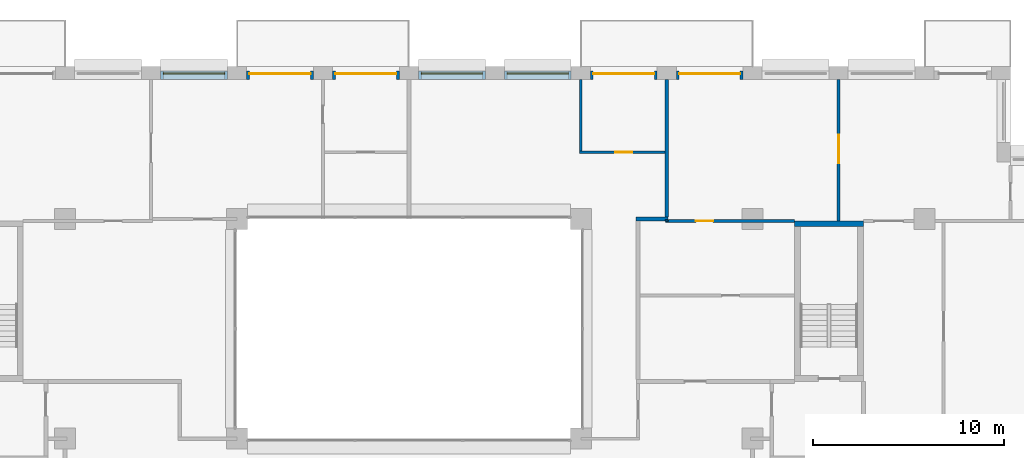
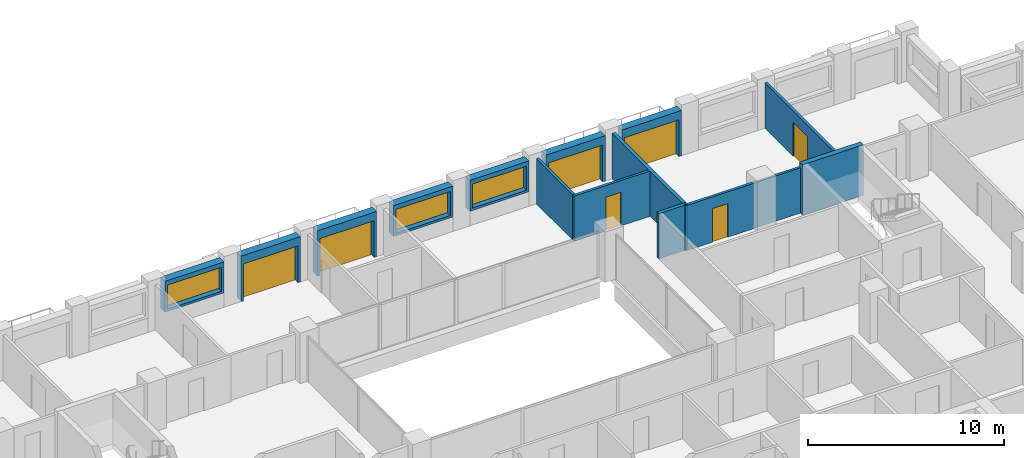
# One storey, part 13 of 16: 15 walls, 7 doors, 3 windows, 10 openings.
"""IFC4 building model written with IfcOpenShell, lengths in metres."""

from ifc_helpers import new_model, si_unit, direction, frame, frame_2d, origin, place, context, subcontext, project, spatial, rectangle, extrude, material, layer, layer_set, type_object, element, fill, save


model = new_model("IFC4")

# Units and contexts
model_context = context("Model", 3, precision=1e-05, world=origin(), true_north=direction((0.0, 1.0)))
body_context = subcontext(model_context, "Body", "Model", "MODEL_VIEW")
ifc_project = project(units=[si_unit("LENGTHUNIT", "METRE"), si_unit("AREAUNIT", "SQUARE_METRE"), si_unit("VOLUMEUNIT", "CUBIC_METRE"), si_unit("PLANEANGLEUNIT", "RADIAN"), si_unit("MASSUNIT", "GRAM", prefix="KILO")], contexts=[model_context])

# Site, building, storey
site_placement = place(None, origin())
site = spatial("IfcSite", under=ifc_project, at=site_placement, CompositionType="ELEMENT")
building_placement = place(site_placement, origin())
building = spatial("IfcBuilding", under=site, at=building_placement, Name="Brigalow Station Residences", CompositionType="ELEMENT")
storey_placement = place(building_placement, frame((0.0, 0.0, 166.5)))
storey = spatial("IfcBuildingStorey", under=building, at=storey_placement, Name="L48", CompositionType="ELEMENT", Elevation=166.5)

# Wall, opening, door
ifc_material_1 = material(Name="Clay brick masonry", Category="masonry")
ifc_layer_1 = layer(ifc_material_1, 0.449951171875)
ifc_layer_set_1 = layer_set([ifc_layer_1], Name="BRICK INFILL WALL 450")
wall_type_1 = type_object("IfcWallType", Name="BRICK INFILL WALL 450", PredefinedType="SOLIDWALL", material=ifc_layer_set_1)
wall_1_placement = place(storey_placement, frame((53.5, 43.02490234375, 0.0), z_axis=(0.0, 0.0, 1.0), x_axis=(-1.0, 0.0, 0.0)))
wall_1 = element("IfcWall", 1, at=wall_1_placement, inside=storey, type_object=wall_type_1, Name="L48/ewall/W-L48-25", PredefinedType="SOLIDWALL", context=body_context, shape_type="SweptSolid", body=[
    extrude(rectangle(XDim=3.5, YDim=0.449951171875, at=frame_2d((1.75, 0.0))), origin(), (0.0, 0.0, 1.0), 2.830078125),
])
opening_1_placement = place(wall_1_placement, frame((0.14990234375, 0.0, 0.0)))
opening_1 = element("IfcOpeningElement", 2, at=opening_1_placement, cuts=wall_1, Name="Opening D-B3200", PredefinedType="OPENING", context=body_context, shape_type="SweptSolid", body=[
    extrude(rectangle(XDim=3.199951171875, YDim=2.300048828125, at=frame_2d((1.60009765625, 1.14990234375))), frame((0.0, 0.23486328125, 0.0), z_axis=(0.0, -1.0, 0.0), x_axis=(1.0, 0.0, 0.0)), (0.0, 0.0, 1.0), 0.469970703125),
])
ifc_material_2 = material(Name="Anodised aluminium frame with double glazing", Category="aluminium")
door_type_1 = type_object("IfcDoorType", Name="BALCONY SLIDING DOOR 3200x2300", OperationType="SLIDING_TO_LEFT", PredefinedType="DOOR", material=ifc_material_2)
door_1_placement = place(opening_1_placement, origin())
door_1 = element("IfcDoor", 3, at=door_1_placement, inside=storey, type_object=door_type_1, Name="L48/balcony-door/W-L48-25", OperationType="SLIDING_TO_LEFT", OverallHeight=2.300048828125, OverallWidth=3.199951171875, PredefinedType="DOOR", context=body_context, shape_type="SweptSolid", body=[
    extrude(rectangle(XDim=3.199951171875, YDim=2.300048828125, at=frame_2d((1.60009765625, 1.14990234375))), frame((0.0, -0.06982421875, 0.0), z_axis=(0.0, -1.0, 0.0), x_axis=(1.0, 0.0, 0.0)), (0.0, 0.0, 1.0), 0.050048828125),
])
fill(opening_1, door_1)

wall_2_placement = place(storey_placement, frame((49.0, 43.02490234375, 0.0), z_axis=(0.0, 0.0, 1.0), x_axis=(-1.0, 0.0, 0.0)))
wall_2 = element("IfcWall", 4, at=wall_2_placement, inside=storey, type_object=wall_type_1, Name="L48/ewall/W-L48-26", PredefinedType="SOLIDWALL", context=body_context, shape_type="SweptSolid", body=[
    extrude(rectangle(XDim=3.5, YDim=0.449951171875, at=frame_2d((1.75, 0.0))), origin(), (0.0, 0.0, 1.0), 2.830078125),
])
opening_2_placement = place(wall_2_placement, frame((0.14990234375, 0.0, 0.0)))
opening_2 = element("IfcOpeningElement", 5, at=opening_2_placement, cuts=wall_2, Name="Opening D-B3200", PredefinedType="OPENING", context=body_context, shape_type="SweptSolid", body=[
    extrude(rectangle(XDim=3.199951171875, YDim=2.300048828125, at=frame_2d((1.60009765625, 1.14990234375))), frame((0.0, 0.23486328125, 0.0), z_axis=(0.0, -1.0, 0.0), x_axis=(1.0, 0.0, 0.0)), (0.0, 0.0, 1.0), 0.469970703125),
])
door_2_placement = place(opening_2_placement, origin())
door_2 = element("IfcDoor", 6, at=door_2_placement, inside=storey, type_object=door_type_1, Name="L48/balcony-door/W-L48-26", OperationType="SLIDING_TO_LEFT", OverallHeight=2.300048828125, OverallWidth=3.199951171875, PredefinedType="DOOR", context=body_context, shape_type="SweptSolid", body=[
    extrude(rectangle(XDim=3.199951171875, YDim=2.300048828125, at=frame_2d((1.60009765625, 1.14990234375))), frame((0.0, -0.06982421875, 0.0), z_axis=(0.0, -1.0, 0.0), x_axis=(1.0, 0.0, 0.0)), (0.0, 0.0, 1.0), 0.050048828125),
])
fill(opening_2, door_2)

# Wall, opening, window
wall_3_placement = place(storey_placement, frame((44.5, 43.02490234375, 0.89990234375), z_axis=(0.0, 0.0, 1.0), x_axis=(-1.0, 0.0, 0.0)))
wall_3 = element("IfcWall", 7, at=wall_3_placement, inside=storey, type_object=wall_type_1, Name="L48/ewall/W-L48-27", PredefinedType="SOLIDWALL", context=body_context, shape_type="SweptSolid", body=[
    extrude(rectangle(XDim=3.5, YDim=0.449951171875, at=frame_2d((1.75, 0.0))), origin(), (0.0, 0.0, 1.0), 1.93017578125),
])
opening_3_placement = place(wall_3_placement, frame((0.14990234375, 0.0, 0.14990234375)))
opening_3 = element("IfcOpeningElement", 8, at=opening_3_placement, cuts=wall_3, Name="Opening WT-9", PredefinedType="OPENING", context=body_context, shape_type="SweptSolid", body=[
    extrude(rectangle(XDim=3.199951171875, YDim=1.5, at=frame_2d((1.60009765625, 0.75))), frame((0.0, 0.23486328125, 0.0), z_axis=(0.0, -1.0, 0.0), x_axis=(1.0, 0.0, 0.0)), (0.0, 0.0, 1.0), 0.469970703125),
])
ifc_material_3 = material(Name="Anodised aluminium frame with double glazing", Category="aluminium")
window_type = type_object("IfcWindowType", Name="WINDOW 3200x1500", PartitioningType="SINGLE_PANEL", PredefinedType="WINDOW", material=ifc_material_3)
window_1_placement = place(opening_3_placement, origin())
window_1 = element("IfcWindow", 9, at=window_1_placement, inside=storey, type_object=window_type, Name="L48/window/W-L48-27", OverallHeight=1.5, OverallWidth=3.199951171875, PartitioningType="SINGLE_PANEL", PredefinedType="WINDOW", context=body_context, shape_type="SweptSolid", body=[
    extrude(rectangle(XDim=3.199951171875, YDim=1.5, at=frame_2d((1.60009765625, 0.75))), frame((0.0, -0.06494140625, 0.0), z_axis=(0.0, -1.0, 0.0), x_axis=(1.0, 0.0, 0.0)), (0.0, 0.0, 1.0), 0.06005859375),
])
fill(opening_3, window_1)

wall_4_placement = place(storey_placement, frame((40.0, 43.02490234375, 0.89990234375), z_axis=(0.0, 0.0, 1.0), x_axis=(-1.0, 0.0, 0.0)))
wall_4 = element("IfcWall", 10, at=wall_4_placement, inside=storey, type_object=wall_type_1, Name="L48/ewall/W-L48-28", PredefinedType="SOLIDWALL", context=body_context, shape_type="SweptSolid", body=[
    extrude(rectangle(XDim=3.5, YDim=0.449951171875, at=frame_2d((1.75, 0.0))), origin(), (0.0, 0.0, 1.0), 1.93017578125),
])
opening_4_placement = place(wall_4_placement, frame((0.14990234375, 0.0, 0.14990234375)))
opening_4 = element("IfcOpeningElement", 11, at=opening_4_placement, cuts=wall_4, Name="Opening WT-9", PredefinedType="OPENING", context=body_context, shape_type="SweptSolid", body=[
    extrude(rectangle(XDim=3.199951171875, YDim=1.5, at=frame_2d((1.60009765625, 0.75))), frame((0.0, 0.23486328125, 0.0), z_axis=(0.0, -1.0, 0.0), x_axis=(1.0, 0.0, 0.0)), (0.0, 0.0, 1.0), 0.469970703125),
])
window_2_placement = place(opening_4_placement, origin())
window_2 = element("IfcWindow", 12, at=window_2_placement, inside=storey, type_object=window_type, Name="L48/window/W-L48-28", OverallHeight=1.5, OverallWidth=3.199951171875, PartitioningType="SINGLE_PANEL", PredefinedType="WINDOW", context=body_context, shape_type="SweptSolid", body=[
    extrude(rectangle(XDim=3.199951171875, YDim=1.5, at=frame_2d((1.60009765625, 0.75))), frame((0.0, -0.06494140625, 0.0), z_axis=(0.0, -1.0, 0.0), x_axis=(1.0, 0.0, 0.0)), (0.0, 0.0, 1.0), 0.06005859375),
])
fill(opening_4, window_2)

# Wall, opening, door
wall_5_placement = place(storey_placement, frame((35.5, 43.02490234375, 0.0), z_axis=(0.0, 0.0, 1.0), x_axis=(-1.0, 0.0, 0.0)))
wall_5 = element("IfcWall", 13, at=wall_5_placement, inside=storey, type_object=wall_type_1, Name="L48/ewall/W-L48-29", PredefinedType="SOLIDWALL", context=body_context, shape_type="SweptSolid", body=[
    extrude(rectangle(XDim=3.5, YDim=0.449951171875, at=frame_2d((1.75, 0.0))), origin(), (0.0, 0.0, 1.0), 2.830078125),
])
opening_5_placement = place(wall_5_placement, frame((0.14990234375, 0.0, 0.0)))
opening_5 = element("IfcOpeningElement", 14, at=opening_5_placement, cuts=wall_5, Name="Opening D-B3200", PredefinedType="OPENING", context=body_context, shape_type="SweptSolid", body=[
    extrude(rectangle(XDim=3.199951171875, YDim=2.300048828125, at=frame_2d((1.60009765625, 1.14990234375))), frame((0.0, 0.23486328125, 0.0), z_axis=(0.0, -1.0, 0.0), x_axis=(1.0, 0.0, 0.0)), (0.0, 0.0, 1.0), 0.469970703125),
])
door_3_placement = place(opening_5_placement, origin())
door_3 = element("IfcDoor", 15, at=door_3_placement, inside=storey, type_object=door_type_1, Name="L48/balcony-door/W-L48-29", OperationType="SLIDING_TO_LEFT", OverallHeight=2.300048828125, OverallWidth=3.199951171875, PredefinedType="DOOR", context=body_context, shape_type="SweptSolid", body=[
    extrude(rectangle(XDim=3.199951171875, YDim=2.300048828125, at=frame_2d((1.60009765625, 1.14990234375))), frame((0.0, -0.06982421875, 0.0), z_axis=(0.0, -1.0, 0.0), x_axis=(1.0, 0.0, 0.0)), (0.0, 0.0, 1.0), 0.050048828125),
])
fill(opening_5, door_3)

wall_6_placement = place(storey_placement, frame((31.0, 43.02490234375, 0.0), z_axis=(0.0, 0.0, 1.0), x_axis=(-1.0, 0.0, 0.0)))
wall_6 = element("IfcWall", 16, at=wall_6_placement, inside=storey, type_object=wall_type_1, Name="L48/ewall/W-L48-30", PredefinedType="SOLIDWALL", context=body_context, shape_type="SweptSolid", body=[
    extrude(rectangle(XDim=3.5, YDim=0.449951171875, at=frame_2d((1.75, 0.0))), origin(), (0.0, 0.0, 1.0), 2.830078125),
])
opening_6_placement = place(wall_6_placement, frame((0.14990234375, 0.0, 0.0)))
opening_6 = element("IfcOpeningElement", 17, at=opening_6_placement, cuts=wall_6, Name="Opening D-B3200", PredefinedType="OPENING", context=body_context, shape_type="SweptSolid", body=[
    extrude(rectangle(XDim=3.199951171875, YDim=2.300048828125, at=frame_2d((1.60009765625, 1.14990234375))), frame((0.0, 0.23486328125, 0.0), z_axis=(0.0, -1.0, 0.0), x_axis=(1.0, 0.0, 0.0)), (0.0, 0.0, 1.0), 0.469970703125),
])
door_4_placement = place(opening_6_placement, origin())
door_4 = element("IfcDoor", 18, at=door_4_placement, inside=storey, type_object=door_type_1, Name="L48/balcony-door/W-L48-30", OperationType="SLIDING_TO_LEFT", OverallHeight=2.300048828125, OverallWidth=3.199951171875, PredefinedType="DOOR", context=body_context, shape_type="SweptSolid", body=[
    extrude(rectangle(XDim=3.199951171875, YDim=2.300048828125, at=frame_2d((1.60009765625, 1.14990234375))), frame((0.0, -0.06982421875, 0.0), z_axis=(0.0, -1.0, 0.0), x_axis=(1.0, 0.0, 0.0)), (0.0, 0.0, 1.0), 0.050048828125),
])
fill(opening_6, door_4)

# Wall, opening, window
wall_7_placement = place(storey_placement, frame((26.5, 43.02490234375, 0.89990234375), z_axis=(0.0, 0.0, 1.0), x_axis=(-1.0, 0.0, 0.0)))
wall_7 = element("IfcWall", 19, at=wall_7_placement, inside=storey, type_object=wall_type_1, Name="L48/ewall/W-L48-31", PredefinedType="SOLIDWALL", context=body_context, shape_type="SweptSolid", body=[
    extrude(rectangle(XDim=3.5, YDim=0.449951171875, at=frame_2d((1.75, 0.0))), origin(), (0.0, 0.0, 1.0), 1.93017578125),
])
opening_7_placement = place(wall_7_placement, frame((0.14990234375, 0.0, 0.14990234375)))
opening_7 = element("IfcOpeningElement", 20, at=opening_7_placement, cuts=wall_7, Name="Opening WT-9", PredefinedType="OPENING", context=body_context, shape_type="SweptSolid", body=[
    extrude(rectangle(XDim=3.199951171875, YDim=1.5, at=frame_2d((1.60009765625, 0.75))), frame((0.0, 0.23486328125, 0.0), z_axis=(0.0, -1.0, 0.0), x_axis=(1.0, 0.0, 0.0)), (0.0, 0.0, 1.0), 0.469970703125),
])
window_3_placement = place(opening_7_placement, origin())
window_3 = element("IfcWindow", 21, at=window_3_placement, inside=storey, type_object=window_type, Name="L48/window/W-L48-31", OverallHeight=1.5, OverallWidth=3.199951171875, PartitioningType="SINGLE_PANEL", PredefinedType="WINDOW", context=body_context, shape_type="SweptSolid", body=[
    extrude(rectangle(XDim=3.199951171875, YDim=1.5, at=frame_2d((1.60009765625, 0.75))), frame((0.0, -0.06494140625, 0.0), z_axis=(0.0, -1.0, 0.0), x_axis=(1.0, 0.0, 0.0)), (0.0, 0.0, 1.0), 0.06005859375),
])
fill(opening_7, window_3)

# Wall
ifc_material_4 = material(Name="Concrete C65", Category="concrete")
ifc_layer_2 = layer(ifc_material_4, 0.300048828125)
ifc_layer_set_2 = layer_set([ifc_layer_2], Name="CORE SHEAR WALL 300 C65")
wall_type_2 = type_object("IfcWallType", Name="CORE SHEAR WALL 300 C65", PredefinedType="SHEAR", material=ifc_layer_set_2)
wall_8_placement = place(storey_placement, frame((56.199951171875, 35.25, 0.0), z_axis=(0.0, 0.0, 1.0), x_axis=(1.0, 0.0, 0.0)))
element("IfcWall", 22, at=wall_8_placement, inside=storey, type_object=wall_type_2, Name="CORE WALL ST-S3-N L48", PredefinedType="SHEAR", context=body_context, shape_type="SweptSolid", body=[
    extrude(rectangle(XDim=3.60009765625, YDim=0.300048828125, at=frame_2d((1.800048828125, 0.0))), origin(), (0.0, 0.0, 1.0), 3.14990234375),
])

# Wall, opening, door
ifc_material_5 = material(Name="Plasterboard on steel stud partition", Category="steel")
ifc_layer_3 = layer(ifc_material_5, 0.14990234375)
ifc_layer_set_3 = layer_set([ifc_layer_3], Name="FLAT PARTITION 150")
wall_type_3 = type_object("IfcWallType", Name="FLAT PARTITION 150", PredefinedType="PARTITIONING", material=ifc_layer_set_3)
wall_9_placement = place(storey_placement, frame((49.425048828125, 35.39990234375, 0.0), z_axis=(0.0, 0.0, 1.0), x_axis=(1.0, 0.0, 0.0)))
wall_9 = element("IfcWall", 23, at=wall_9_placement, inside=storey, type_object=wall_type_3, Name="PW-3D19", PredefinedType="PARTITIONING", context=body_context, shape_type="SweptSolid", body=[
    extrude(rectangle(XDim=6.77490234375, YDim=0.14990234375, at=frame_2d((3.387451171875, 0.0))), origin(), (0.0, 0.0, 1.0), 2.830078125),
])
opening_8_placement = place(wall_9_placement, frame((1.60009765625, 0.0, 0.0)))
opening_8 = element("IfcOpeningElement", 24, at=opening_8_placement, cuts=wall_9, Name="Opening D-3D21", PredefinedType="OPENING", context=body_context, shape_type="SweptSolid", body=[
    extrude(rectangle(XDim=0.89990234375, YDim=2.10009765625, at=frame_2d((0.449951171875, 1.050048828125))), frame((0.0, 0.0849609375, 0.0), z_axis=(0.0, -1.0, 0.0), x_axis=(1.0, 0.0, 0.0)), (0.0, 0.0, 1.0), 0.169921875),
])
ifc_material_6 = material(Name="Solid-core timber door leaf", Category="wood")
door_type_2 = type_object("IfcDoorType", Name="INTERNAL DOOR 900 x 2100", OperationType="SINGLE_SWING_LEFT", PredefinedType="DOOR", material=ifc_material_6)
door_5_placement = place(opening_8_placement, frame((0.89990234375, 0.0, 0.0), z_axis=(0.0, 0.0, 1.0), x_axis=(-1.0, 0.0, 0.0)))
door_5 = element("IfcDoor", 25, at=door_5_placement, inside=storey, type_object=door_type_2, Name="D-3D21", OperationType="SINGLE_SWING_RIGHT", OverallHeight=2.10009765625, OverallWidth=0.89990234375, PredefinedType="DOOR", context=body_context, shape_type="SweptSolid", body=[
    extrude(rectangle(XDim=0.89990234375, YDim=2.10009765625, at=frame_2d((0.449951171875, 1.050048828125))), frame((0.0, 0.02490234375, 0.0), z_axis=(0.0, -1.0, 0.0), x_axis=(1.0, 0.0, 0.0)), (0.0, 0.0, 1.0), 0.050048828125),
])
fill(opening_8, door_5)

wall_10_placement = place(storey_placement, frame((44.925048828125, 39.0, 0.0), z_axis=(0.0, 0.0, 1.0), x_axis=(1.0, 0.0, 0.0)))
wall_10 = element("IfcWall", 26, at=wall_10_placement, inside=storey, type_object=wall_type_3, Name="PW-3D24", PredefinedType="PARTITIONING", context=body_context, shape_type="SweptSolid", body=[
    extrude(rectangle(XDim=4.474853515625, YDim=0.14990234375, at=frame_2d((2.2373046875, 0.0))), origin(), (0.0, 0.0, 1.0), 2.830078125),
])
opening_9_placement = place(wall_10_placement, frame((1.875, 0.0, 0.0)))
opening_9 = element("IfcOpeningElement", 27, at=opening_9_placement, cuts=wall_10, Name="Opening D-3D36", PredefinedType="OPENING", context=body_context, shape_type="SweptSolid", body=[
    extrude(rectangle(XDim=0.89990234375, YDim=2.10009765625, at=frame_2d((0.449951171875, 1.050048828125))), frame((0.0, 0.0849609375, 0.0), z_axis=(0.0, -1.0, 0.0), x_axis=(1.0, 0.0, 0.0)), (0.0, 0.0, 1.0), 0.169921875),
])
door_6_placement = place(opening_9_placement, origin())
door_6 = element("IfcDoor", 28, at=door_6_placement, inside=storey, type_object=door_type_2, Name="D-3D36", OperationType="SINGLE_SWING_RIGHT", OverallHeight=2.10009765625, OverallWidth=0.89990234375, PredefinedType="DOOR", context=body_context, shape_type="SweptSolid", body=[
    extrude(rectangle(XDim=0.89990234375, YDim=2.10009765625, at=frame_2d((0.449951171875, 1.050048828125))), frame((0.0, 0.02490234375, 0.0), z_axis=(0.0, -1.0, 0.0), x_axis=(1.0, 0.0, 0.0)), (0.0, 0.0, 1.0), 0.050048828125),
])
fill(opening_9, door_6)

# Wall
wall_11_placement = place(storey_placement, frame((49.5, 35.39990234375, 0.0), z_axis=(0.0, 0.0, 1.0), x_axis=(0.0, 1.0, 0.0)))
element("IfcWall", 29, at=wall_11_placement, inside=storey, type_object=wall_type_3, Name="PW-3D44", PredefinedType="PARTITIONING", context=body_context, shape_type="SweptSolid", body=[
    extrude(rectangle(XDim=0.0751953125, YDim=0.14990234375, at=frame_2d((0.03759765625, 0.0))), origin(), (0.0, 0.0, 1.0), 2.830078125),
])

# Wall, opening, door
wall_12_placement = place(storey_placement, frame((58.5, 35.39990234375, 0.0), z_axis=(0.0, 0.0, 1.0), x_axis=(0.0, 1.0, 0.0)))
wall_12 = element("IfcWall", 30, at=wall_12_placement, inside=storey, type_object=wall_type_3, Name="PW-3D48", PredefinedType="PARTITIONING", context=body_context, shape_type="SweptSolid", body=[
    extrude(rectangle(XDim=7.400146484375, YDim=0.14990234375, at=frame_2d((3.7001953125, 0.0))), origin(), (0.0, 0.0, 1.0), 2.830078125),
])
opening_10_placement = place(wall_12_placement, frame((3.02490234375, 0.0, 0.0)))
opening_10 = element("IfcOpeningElement", 31, at=opening_10_placement, cuts=wall_12, Name="Opening D-3D22", PredefinedType="OPENING", context=body_context, shape_type="SweptSolid", body=[
    extrude(rectangle(XDim=1.5, YDim=2.10009765625, at=frame_2d((0.75, 1.050048828125))), frame((0.0, 0.0849609375, 0.0), z_axis=(0.0, -1.0, 0.0), x_axis=(1.0, 0.0, 0.0)), (0.0, 0.0, 1.0), 0.169921875),
])
ifc_material_7 = material(Name="Solid-core timber door leaf", Category="wood")
door_type_3 = type_object("IfcDoorType", Name="INTERNAL DOUBLE DOOR 1500 x 2100", OperationType="DOUBLE_DOOR_SINGLE_SWING", PredefinedType="DOOR", material=ifc_material_7)
door_7_placement = place(opening_10_placement, frame((1.5, 0.0, 0.0), z_axis=(0.0, 0.0, 1.0), x_axis=(-1.0, 0.0, 0.0)))
door_7 = element("IfcDoor", 32, at=door_7_placement, inside=storey, type_object=door_type_3, Name="D-3D22", OperationType="DOUBLE_DOOR_SINGLE_SWING", OverallHeight=2.10009765625, OverallWidth=1.5, PredefinedType="DOOR", context=body_context, shape_type="SweptSolid", body=[
    extrude(rectangle(XDim=1.5, YDim=2.10009765625, at=frame_2d((0.75, 1.050048828125))), frame((0.0, 0.02490234375, 0.0), z_axis=(0.0, -1.0, 0.0), x_axis=(1.0, 0.0, 0.0)), (0.0, 0.0, 1.0), 0.050048828125),
])
fill(opening_10, door_7)

# Walls
wall_13_placement = place(storey_placement, frame((45.0, 39.074951171875, 0.0), z_axis=(0.0, 0.0, 1.0), x_axis=(0.0, 1.0, 0.0)))
element("IfcWall", 33, at=wall_13_placement, inside=storey, type_object=wall_type_3, Name="PW-3D54", PredefinedType="PARTITIONING", context=body_context, shape_type="SweptSolid", body=[
    extrude(rectangle(XDim=3.72509765625, YDim=0.14990234375, at=frame_2d((1.862548828125, 0.0))), origin(), (0.0, 0.0, 1.0), 2.830078125),
])
ifc_material_8 = material(Name="Plasterboard on steel stud partition", Category="steel")
ifc_layer_4 = layer(ifc_material_8, 0.199951171875)
ifc_layer_set_4 = layer_set([ifc_layer_4], Name="PARTY AND CORRIDOR WALL 200")
wall_type_4 = type_object("IfcWallType", Name="PARTY AND CORRIDOR WALL 200", PredefinedType="PARTITIONING", material=ifc_layer_set_4)
wall_14_placement = place(storey_placement, frame((47.89990234375, 35.5, 0.0), z_axis=(0.0, 0.0, 1.0), x_axis=(1.0, 0.0, 0.0)))
element("IfcWall", 34, at=wall_14_placement, inside=storey, type_object=wall_type_4, Name="PW-3D22", PredefinedType="PARTITIONING", context=body_context, shape_type="SweptSolid", body=[
    extrude(rectangle(XDim=1.675048828125, YDim=0.199951171875, at=frame_2d((0.83740234375, 0.0))), origin(), (0.0, 0.0, 1.0), 2.830078125),
])
wall_15_placement = place(storey_placement, frame((49.5, 35.60009765625, 0.0), z_axis=(0.0, 0.0, 1.0), x_axis=(0.0, 1.0, 0.0)))
element("IfcWall", 35, at=wall_15_placement, inside=storey, type_object=wall_type_4, Name="PW-3D45", PredefinedType="PARTITIONING", context=body_context, shape_type="SweptSolid", body=[
    extrude(rectangle(XDim=7.199951171875, YDim=0.199951171875, at=frame_2d((3.60009765625, 0.0))), origin(), (0.0, 0.0, 1.0), 2.830078125),
])

save(model, "model.ifc")
